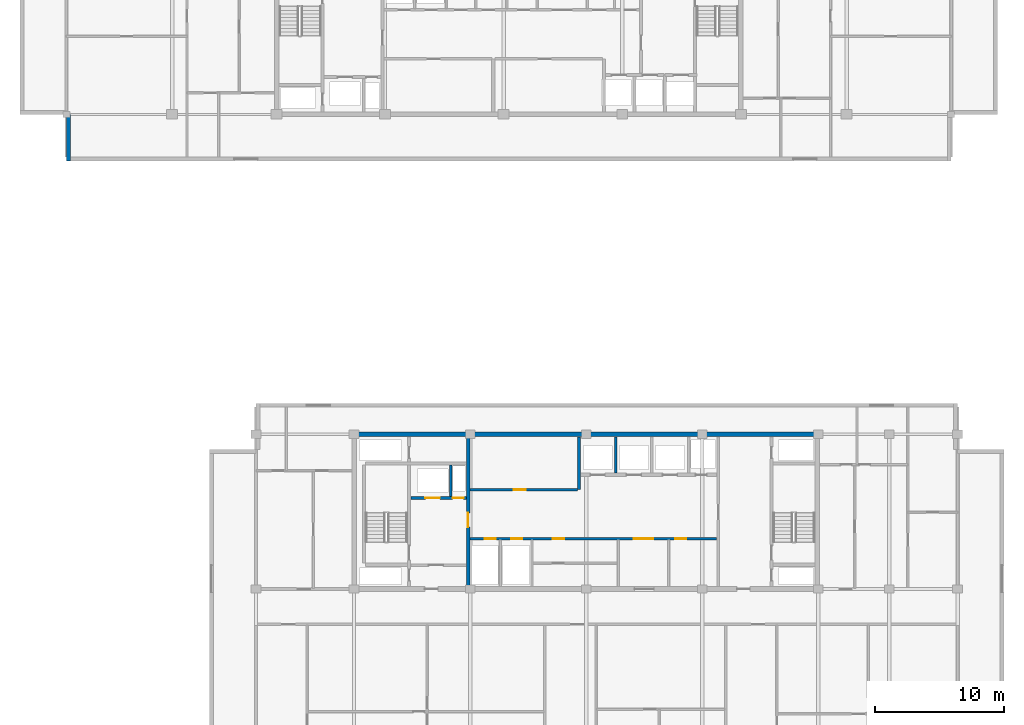
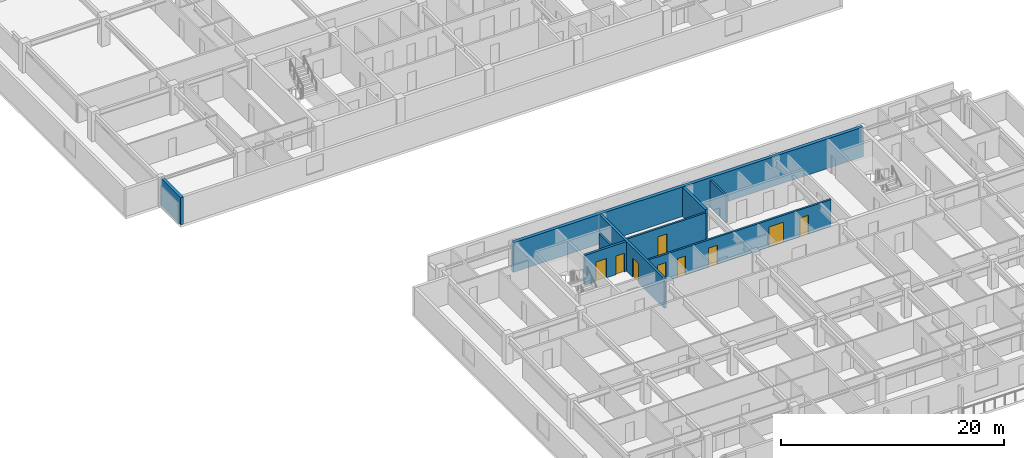
# One storey, part 7 of 22: 9 doors, 9 walls, 9 openings.
"""IFC4 building model written with IfcOpenShell, lengths in metres."""

from ifc_helpers import new_model, si_unit, direction, frame, frame_2d, origin, place, context, subcontext, project, spatial, rectangle, extrude, material, layer, layer_set, type_object, element, fill, save


model = new_model("IFC4")

# Units and contexts
model_context = context("Model", 3, precision=1e-05, world=origin(), true_north=direction((0.0, 1.0)))
body_context = subcontext(model_context, "Body", "Model", "MODEL_VIEW")
ifc_project = project(units=[si_unit("LENGTHUNIT", "METRE"), si_unit("AREAUNIT", "SQUARE_METRE"), si_unit("VOLUMEUNIT", "CUBIC_METRE"), si_unit("PLANEANGLEUNIT", "RADIAN"), si_unit("MASSUNIT", "GRAM", prefix="KILO")], contexts=[model_context])

# Site, building, storey
site_placement = place(None, origin())
site = spatial("IfcSite", under=ifc_project, at=site_placement, CompositionType="ELEMENT")
building_placement = place(site_placement, origin())
building = spatial("IfcBuilding", under=site, at=building_placement, Name="Korimba Cascade Residences", CompositionType="ELEMENT")
storey_placement = place(building_placement, frame((0.0, 0.0, 191.35009765625)))
storey = spatial("IfcBuildingStorey", under=building, at=storey_placement, Name="L55", CompositionType="ELEMENT", Elevation=191.35009765625)

# Walls
ifc_material_1 = material(Name="Precast concrete C40/50", Category="concrete")
ifc_layer_1 = layer(ifc_material_1, 0.300048828125)
ifc_layer_set_1 = layer_set([ifc_layer_1], Name="Precast concrete C40/50")
wall_type_1 = type_object("IfcWallType", Name="EW-STONE-300", PredefinedType="STANDARD", material=ifc_layer_set_1)
wall_1_placement = place(storey_placement, frame((59.949951171875, 55.199951171875, 0.0), z_axis=(0.0, 0.0, 1.0), x_axis=(0.0, -1.0, 0.0)))
element("IfcWall", 1, at=wall_1_placement, inside=storey, type_object=wall_type_1, Name="L55 T1 Perimeter Stone Wall E11", PredefinedType="STANDARD", context=body_context, shape_type="SweptSolid", body=[
    extrude(rectangle(XDim=3.599853515625, YDim=0.300048828125, at=frame_2d((1.7998046875, 0.0))), origin(), (0.0, 0.0, 1.0), 2.969970703125),
])
ifc_material_2 = material(Name="Concrete C65/80", Category="concrete")
ifc_layer_2 = layer(ifc_material_2, 0.35009765625)
ifc_layer_set_2 = layer_set([ifc_layer_2], Name="Concrete C65/80")
wall_type_2 = type_object("IfcWallType", Name="WAL-CORE-350", PredefinedType="SHEAR", material=ifc_layer_set_2)
wall_2_placement = place(storey_placement, frame((81.925048828125, 30.39990234375, 0.0), z_axis=(0.0, 0.0, 1.0), x_axis=(1.0, 0.0, 0.0)))
element("IfcWall", 2, at=wall_2_placement, inside=storey, type_object=wall_type_2, Name="L55 Core Shear Wall CW-L55-T2-N", PredefinedType="SHEAR", context=body_context, shape_type="SweptSolid", body=[
    extrude(rectangle(XDim=36.264892578125, YDim=0.35009765625, at=frame_2d((18.13232421875, 0.0))), origin(), (0.0, 0.0, 1.0), 3.25),
])
ifc_material_3 = material(Name="Concrete C40/50", Category="concrete")
ifc_layer_3 = layer(ifc_material_3, 0.199951171875)
ifc_layer_set_3 = layer_set([ifc_layer_3], Name="Concrete C40/50")
wall_type_3 = type_object("IfcWallType", Name="WAL-PART-200", PredefinedType="PARTITIONING", material=ifc_layer_set_3)
wall_3_placement = place(storey_placement, frame((89.60009765625, 25.580078125, 0.0), z_axis=(0.0, 0.0, 1.0), x_axis=(0.0, 1.0, 0.0)))
element("IfcWall", 3, at=wall_3_placement, inside=storey, type_object=wall_type_3, Name="L55 Partition Wall CW-L55-T2-FFLDIV", PredefinedType="PARTITIONING", context=body_context, shape_type="SweptSolid", body=[
    extrude(rectangle(XDim=2.419921875, YDim=0.199951171875, at=frame_2d((1.2099609375, 0.0))), origin(), (0.0, 0.0, 1.0), 2.969970703125),
])

# Wall, opening, door
wall_4_placement = place(storey_placement, frame((91.080078125, 26.10009765625, 0.0), z_axis=(0.0, 0.0, 1.0), x_axis=(1.0, 0.0, 0.0)))
wall_4 = element("IfcWall", 4, at=wall_4_placement, inside=storey, type_object=wall_type_3, Name="L55 Partition Wall CW-L55-T2-B1RS", PredefinedType="PARTITIONING", context=body_context, shape_type="SweptSolid", body=[
    extrude(rectangle(XDim=8.33984375, YDim=0.199951171875, at=frame_2d((4.169921875, 0.0))), origin(), (0.0, 0.0, 1.0), 2.969970703125),
])
opening_1_placement = place(wall_4_placement, frame((3.39990234375, 0.0, 0.0)))
opening_1 = element("IfcOpeningElement", 5, at=opening_1_placement, cuts=wall_4, Name="Opening D-ST1", PredefinedType="OPENING", context=body_context, shape_type="SweptSolid", body=[
    extrude(rectangle(XDim=0.919921875, YDim=2.080078125, at=frame_2d((0.4599609375, 1.0400390625))), frame((0.0, 0.10986328125, 0.0), z_axis=(0.0, -1.0, 0.0), x_axis=(1.0, 0.0, 0.0)), (0.0, 0.0, 1.0), 0.219970703125),
])
ifc_material_4 = material(Name="Fire-Rated Core Store Door", Category="wood")
door_type_1 = type_object("IfcDoorType", Name="DR-FD60-920", OperationType="NOTDEFINED", PredefinedType="DOOR", material=ifc_material_4)
door_1_placement = place(opening_1_placement, origin())
door_1 = element("IfcDoor", 6, at=door_1_placement, inside=storey, type_object=door_type_1, Name="L55 T2 Resident Storage Door", OperationType="SINGLE_SWING_RIGHT", OverallHeight=2.080078125, OverallWidth=0.919921875, PredefinedType="DOOR", context=body_context, shape_type="SweptSolid", body=[
    extrude(rectangle(XDim=0.919921875, YDim=2.080078125, at=frame_2d((0.4599609375, 1.0400390625))), frame((0.0, 0.02490234375, 0.0), z_axis=(0.0, -1.0, 0.0), x_axis=(1.0, 0.0, 0.0)), (0.0, 0.0, 1.0), 0.050048828125),
])
fill(opening_1, door_1)

# Wall
wall_5_placement = place(storey_placement, frame((102.39990234375, 27.3798828125, 0.0), z_axis=(0.0, 0.0, 1.0), x_axis=(0.0, 1.0, 0.0)))
element("IfcWall", 7, at=wall_5_placement, inside=storey, type_object=wall_type_3, Name="L55 Partition Wall CW-L55-T2-B2D1", PredefinedType="PARTITIONING", context=body_context, shape_type="SweptSolid", body=[
    extrude(rectangle(XDim=2.820068359375, YDim=0.199951171875, at=frame_2d((1.41015625, 0.0))), origin(), (0.0, 0.0, 1.0), 2.969970703125),
])

# Wall, openings, doors
wall_6_placement = place(storey_placement, frame((91.080078125, 22.300048828125, 0.0), z_axis=(0.0, 0.0, 1.0), x_axis=(1.0, 0.0, 0.0)))
wall_6 = element("IfcWall", 8, at=wall_6_placement, inside=storey, type_object=wall_type_3, Name="L55 Partition Wall CW-L55-T2-SRVROW", PredefinedType="PARTITIONING", context=body_context, shape_type="SweptSolid", body=[
    extrude(rectangle(XDim=19.139892578125, YDim=0.199951171875, at=frame_2d((9.56982421875, 0.0))), origin(), (0.0, 0.0, 1.0), 2.969970703125),
])
opening_2_placement = place(wall_6_placement, frame((1.14990234375, 0.0, 0.0)))
opening_2 = element("IfcOpeningElement", 9, at=opening_2_placement, cuts=wall_6, Name="Opening D-RS1", PredefinedType="OPENING", context=body_context, shape_type="SweptSolid", body=[
    extrude(rectangle(XDim=0.85009765625, YDim=2.050048828125, at=frame_2d((0.425048828125, 1.02490234375))), frame((0.0, 0.10986328125, 0.0), z_axis=(0.0, -1.0, 0.0), x_axis=(1.0, 0.0, 0.0)), (0.0, 0.0, 1.0), 0.219970703125),
])
opening_3_placement = place(wall_6_placement, frame((3.199951171875, 0.0, 0.0)))
opening_3 = element("IfcOpeningElement", 10, at=opening_3_placement, cuts=wall_6, Name="Opening D-RS1", PredefinedType="OPENING", context=body_context, shape_type="SweptSolid", body=[
    extrude(rectangle(XDim=0.85009765625, YDim=2.050048828125, at=frame_2d((0.425048828125, 1.02490234375))), frame((0.0, 0.10986328125, 0.0), z_axis=(0.0, -1.0, 0.0), x_axis=(1.0, 0.0, 0.0)), (0.0, 0.0, 1.0), 0.219970703125),
])
opening_4_placement = place(wall_6_placement, frame((12.719970703125, 0.0, 0.0)))
opening_4 = element("IfcOpeningElement", 11, at=opening_4_placement, cuts=wall_6, Name="Opening D-FD8", PredefinedType="OPENING", context=body_context, shape_type="SweptSolid", body=[
    extrude(rectangle(XDim=1.5, YDim=2.199951171875, at=frame_2d((0.75, 1.10009765625))), frame((0.0, 0.10986328125, 0.0), z_axis=(0.0, -1.0, 0.0), x_axis=(1.0, 0.0, 0.0)), (0.0, 0.0, 1.0), 0.219970703125),
])
opening_5_placement = place(wall_6_placement, frame((6.419921875, 0.0, 0.0)))
opening_5 = element("IfcOpeningElement", 12, at=opening_5_placement, cuts=wall_6, Name="Opening D-IN1", PredefinedType="OPENING", context=body_context, shape_type="SweptSolid", body=[
    extrude(rectangle(XDim=0.919921875, YDim=2.080078125, at=frame_2d((0.4599609375, 1.0400390625))), frame((0.0, 0.10986328125, 0.0), z_axis=(0.0, -1.0, 0.0), x_axis=(1.0, 0.0, 0.0)), (0.0, 0.0, 1.0), 0.219970703125),
])
opening_6_placement = place(wall_6_placement, frame((15.919921875, 0.0, 0.0)))
opening_6 = element("IfcOpeningElement", 13, at=opening_6_placement, cuts=wall_6, Name="Opening D-IN2", PredefinedType="OPENING", context=body_context, shape_type="SweptSolid", body=[
    extrude(rectangle(XDim=0.8798828125, YDim=2.06005859375, at=frame_2d((0.43994140625, 1.030029296875))), frame((0.0, 0.10986328125, 0.0), z_axis=(0.0, -1.0, 0.0), x_axis=(1.0, 0.0, 0.0)), (0.0, 0.0, 1.0), 0.219970703125),
])
ifc_material_5 = material(Name="Fire-Rated Steel Riser Access Door", Category="steel")
door_type_2 = type_object("IfcDoorType", Name="DR-FD60-850", OperationType="NOTDEFINED", PredefinedType="DOOR", material=ifc_material_5)
door_2_placement = place(opening_2_placement, origin())
door_2 = element("IfcDoor", 14, at=door_2_placement, inside=storey, type_object=door_type_2, Name="L55 T2 Electrical Riser Door", OperationType="SINGLE_SWING_LEFT", OverallHeight=2.050048828125, OverallWidth=0.85009765625, PredefinedType="DOOR", context=body_context, shape_type="SweptSolid", body=[
    extrude(rectangle(XDim=0.85009765625, YDim=2.050048828125, at=frame_2d((0.425048828125, 1.02490234375))), frame((0.0, 0.02490234375, 0.0), z_axis=(0.0, -1.0, 0.0), x_axis=(1.0, 0.0, 0.0)), (0.0, 0.0, 1.0), 0.050048828125),
])
fill(opening_2, door_2)
door_3_placement = place(opening_3_placement, origin())
door_3 = element("IfcDoor", 15, at=door_3_placement, inside=storey, type_object=door_type_2, Name="L55 T2 Plumbing Riser Door", OperationType="SINGLE_SWING_RIGHT", OverallHeight=2.050048828125, OverallWidth=0.85009765625, PredefinedType="DOOR", context=body_context, shape_type="SweptSolid", body=[
    extrude(rectangle(XDim=0.85009765625, YDim=2.050048828125, at=frame_2d((0.425048828125, 1.02490234375))), frame((0.0, 0.02490234375, 0.0), z_axis=(0.0, -1.0, 0.0), x_axis=(1.0, 0.0, 0.0)), (0.0, 0.0, 1.0), 0.050048828125),
])
fill(opening_3, door_3)
ifc_material_6 = material(Name="Fire-Rated Glazed Lift Lobby Double Door", Category="glass")
door_type_3 = type_object("IfcDoorType", Name="DR-FD90-1500", OperationType="NOTDEFINED", PredefinedType="DOOR", material=ifc_material_6)
door_4_placement = place(opening_4_placement, origin())
door_4 = element("IfcDoor", 16, at=door_4_placement, inside=storey, type_object=door_type_3, Name="L55 T2 Lift Lobby Foyer Door", OperationType="DOUBLE_DOOR_SINGLE_SWING", OverallHeight=2.199951171875, OverallWidth=1.5, PredefinedType="DOOR", context=body_context, shape_type="SweptSolid", body=[
    extrude(rectangle(XDim=1.5, YDim=2.199951171875, at=frame_2d((0.75, 1.10009765625))), frame((0.0, 0.02490234375, 0.0), z_axis=(0.0, -1.0, 0.0), x_axis=(1.0, 0.0, 0.0)), (0.0, 0.0, 1.0), 0.050048828125),
])
fill(opening_4, door_4)
ifc_material_7 = material(Name="Acoustic Timber Bedroom Door", Category="wood")
door_type_4 = type_object("IfcDoorType", Name="DR-INT-880", OperationType="NOTDEFINED", PredefinedType="DOOR", material=ifc_material_7)
door_5_placement = place(opening_6_placement, origin())
door_5 = element("IfcDoor", 17, at=door_5_placement, inside=storey, type_object=door_type_4, Name="L55 T2 Staff WC Door", OperationType="SINGLE_SWING_RIGHT", OverallHeight=2.06005859375, OverallWidth=0.8798828125, PredefinedType="DOOR", context=body_context, shape_type="SweptSolid", body=[
    extrude(rectangle(XDim=0.8798828125, YDim=2.06005859375, at=frame_2d((0.43994140625, 1.030029296875))), frame((0.0, 0.02490234375, 0.0), z_axis=(0.0, -1.0, 0.0), x_axis=(1.0, 0.0, 0.0)), (0.0, 0.0, 1.0), 0.050048828125),
])
fill(opening_6, door_5)
ifc_material_8 = material(Name="Acoustic Timber Living Door", Category="wood")
door_type_5 = type_object("IfcDoorType", Name="DR-INT-920", OperationType="NOTDEFINED", PredefinedType="DOOR", material=ifc_material_8)
door_6_placement = place(opening_5_placement, origin())
door_6 = element("IfcDoor", 18, at=door_6_placement, inside=storey, type_object=door_type_5, Name="L55 T2 Locker Door", OperationType="SINGLE_SWING_LEFT", OverallHeight=2.080078125, OverallWidth=0.919921875, PredefinedType="DOOR", context=body_context, shape_type="SweptSolid", body=[
    extrude(rectangle(XDim=0.919921875, YDim=2.080078125, at=frame_2d((0.4599609375, 1.0400390625))), frame((0.0, 0.02490234375, 0.0), z_axis=(0.0, -1.0, 0.0), x_axis=(1.0, 0.0, 0.0)), (0.0, 0.0, 1.0), 0.050048828125),
])
fill(opening_5, door_6)

ifc_material_9 = material(Name="Concrete C50/60", Category="concrete")
ifc_layer_4 = layer(ifc_material_9, 0.25)
ifc_layer_set_4 = layer_set([ifc_layer_4], Name="Concrete C50/60")
wall_type_4 = type_object("IfcWallType", Name="WAL-SHAFT-250", PredefinedType="SHEAR", material=ifc_layer_set_4)
wall_7_placement = place(storey_placement, frame((86.5, 25.449951171875, 0.0), z_axis=(0.0, 0.0, 1.0), x_axis=(1.0, 0.0, 0.0)))
wall_7 = element("IfcWall", 19, at=wall_7_placement, inside=storey, type_object=wall_type_4, Name="L55 Core Shear Wall CW-L55-T2-FFLN", PredefinedType="SHEAR", context=body_context, shape_type="SweptSolid", body=[
    extrude(rectangle(XDim=4.320068359375, YDim=0.25, at=frame_2d((2.16015625, 0.0))), origin(), (0.0, 0.0, 1.0), 3.25),
])
opening_7_placement = place(wall_7_placement, frame((1.139892578125, 0.0, 0.0)))
opening_7 = element("IfcOpeningElement", 20, at=opening_7_placement, cuts=wall_7, Name="Opening LD-01", PredefinedType="OPENING", context=body_context, shape_type="SweptSolid", body=[
    extrude(rectangle(XDim=1.1201171875, YDim=2.1201171875, at=frame_2d((0.56005859375, 1.06005859375))), frame((0.0, 0.135009765625, 0.0), z_axis=(0.0, -1.0, 0.0), x_axis=(1.0, 0.0, 0.0)), (0.0, 0.0, 1.0), 0.27001953125),
])
opening_8_placement = place(wall_7_placement, frame((3.25, 0.0, 0.0)))
opening_8 = element("IfcOpeningElement", 21, at=opening_8_placement, cuts=wall_7, Name="Opening D-RS1", PredefinedType="OPENING", context=body_context, shape_type="SweptSolid", body=[
    extrude(rectangle(XDim=0.85009765625, YDim=2.050048828125, at=frame_2d((0.425048828125, 1.02490234375))), frame((0.0, 0.135009765625, 0.0), z_axis=(0.0, -1.0, 0.0), x_axis=(1.0, 0.0, 0.0)), (0.0, 0.0, 1.0), 0.27001953125),
])
door_7_placement = place(opening_8_placement, origin())
door_7 = element("IfcDoor", 22, at=door_7_placement, inside=storey, type_object=door_type_2, Name="L55 T2 Pressurisation Riser Door", OperationType="SINGLE_SWING_LEFT", OverallHeight=2.050048828125, OverallWidth=0.85009765625, PredefinedType="DOOR", context=body_context, shape_type="SweptSolid", body=[
    extrude(rectangle(XDim=0.85009765625, YDim=2.050048828125, at=frame_2d((0.425048828125, 1.02490234375))), frame((0.0, 0.02490234375, 0.0), z_axis=(0.0, -1.0, 0.0), x_axis=(1.0, 0.0, 0.0)), (0.0, 0.0, 1.0), 0.050048828125),
])
fill(opening_8, door_7)
ifc_material_10 = material(Name="Stainless Steel Lift Landing Sliding Door", Category="steel")
door_type_6 = type_object("IfcDoorType", Name="DR-LIFT-1100", OperationType="NOTDEFINED", PredefinedType="DOOR", material=ifc_material_10)
door_8_placement = place(opening_7_placement, origin())
door_8 = element("IfcDoor", 23, at=door_8_placement, inside=storey, type_object=door_type_6, Name="L55 Firefighting Lift Landing Door FFL-E1", OperationType="SLIDING_TO_RIGHT", OverallHeight=2.1201171875, OverallWidth=1.1201171875, PredefinedType="DOOR", context=body_context, shape_type="SweptSolid", body=[
    extrude(rectangle(XDim=1.1201171875, YDim=2.1201171875, at=frame_2d((0.56005859375, 1.06005859375))), frame((0.0, 0.02490234375, 0.0), z_axis=(0.0, -1.0, 0.0), x_axis=(1.0, 0.0, 0.0)), (0.0, 0.0, 1.0), 0.050048828125),
])
fill(opening_7, door_8)

# Wall, opening, door
wall_8_placement = place(storey_placement, frame((90.949951171875, 18.60009765625, 0.0), z_axis=(0.0, 0.0, 1.0), x_axis=(0.0, 1.0, 0.0)))
wall_8 = element("IfcWall", 24, at=wall_8_placement, inside=storey, type_object=wall_type_4, Name="L55 Core Shear Wall CW-L55-T2-FFLE", PredefinedType="SHEAR", context=body_context, shape_type="SweptSolid", body=[
    extrude(rectangle(XDim=11.599853515625, YDim=0.25, at=frame_2d((5.7998046875, 0.0))), origin(), (0.0, 0.0, 1.0), 3.25),
])
opening_9_placement = place(wall_8_placement, frame((4.60009765625, 0.0, 0.0)))
opening_9 = element("IfcOpeningElement", 25, at=opening_9_placement, cuts=wall_8, Name="Opening D-FD1", PredefinedType="OPENING", context=body_context, shape_type="SweptSolid", body=[
    extrude(rectangle(XDim=1.10009765625, YDim=2.10009765625, at=frame_2d((0.550048828125, 1.050048828125))), frame((0.0, 0.135009765625, 0.0), z_axis=(0.0, -1.0, 0.0), x_axis=(1.0, 0.0, 0.0)), (0.0, 0.0, 1.0), 0.27001953125),
])
ifc_material_11 = material(Name="Fire-Rated Steel Core Door", Category="steel")
door_type_7 = type_object("IfcDoorType", Name="DR-FD120-1100", OperationType="NOTDEFINED", PredefinedType="DOOR", material=ifc_material_11)
door_9_placement = place(opening_9_placement, origin())
door_9 = element("IfcDoor", 26, at=door_9_placement, inside=storey, type_object=door_type_7, Name="L55 T2 Firefighting Lobby to Lift Lobby Door", OperationType="SINGLE_SWING_LEFT", OverallHeight=2.10009765625, OverallWidth=1.10009765625, PredefinedType="DOOR", context=body_context, shape_type="SweptSolid", body=[
    extrude(rectangle(XDim=1.10009765625, YDim=2.10009765625, at=frame_2d((0.550048828125, 1.050048828125))), frame((0.0, 0.02490234375, 0.0), z_axis=(0.0, -1.0, 0.0), x_axis=(1.0, 0.0, 0.0)), (0.0, 0.0, 1.0), 0.050048828125),
])
fill(opening_9, door_9)

# Wall
wall_9_placement = place(storey_placement, frame((99.550048828125, 26.10009765625, 0.0), z_axis=(0.0, 0.0, 1.0), x_axis=(0.0, 1.0, 0.0)))
element("IfcWall", 27, at=wall_9_placement, inside=storey, type_object=wall_type_4, Name="L55 Core Shear Wall CW-L55-T2-B12DIV", PredefinedType="SHEAR", context=body_context, shape_type="SweptSolid", body=[
    extrude(rectangle(XDim=4.099853515625, YDim=0.25, at=frame_2d((2.0498046875, 0.0))), origin(), (0.0, 0.0, 1.0), 3.25),
])

save(model, "model.ifc")
